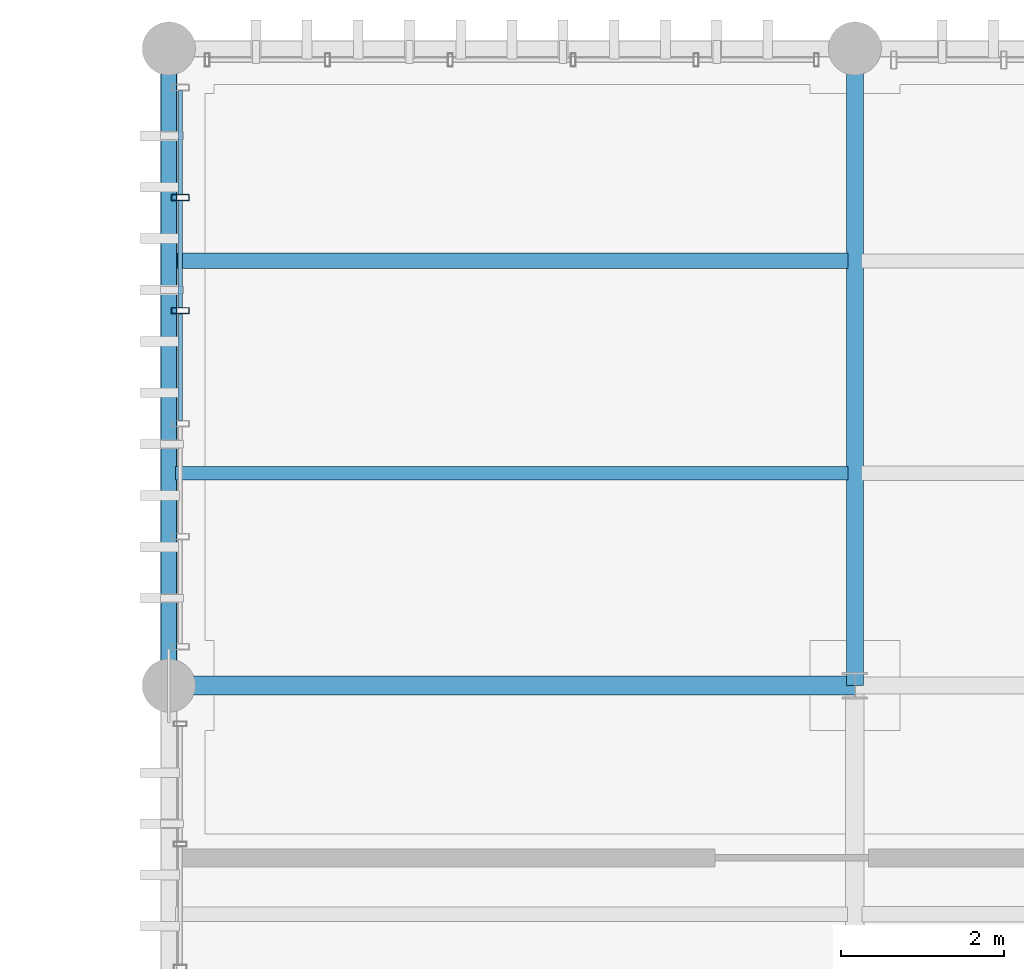
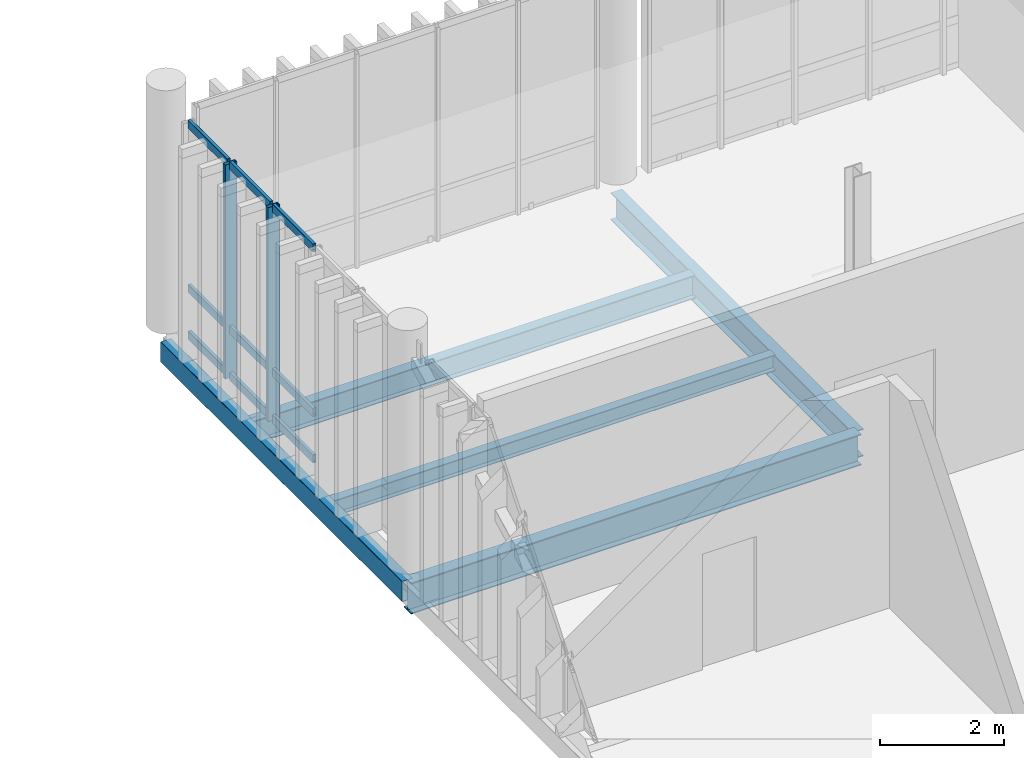
# One storey, part 53 of 86: 11 members, 5 beams, 1 element without a shape of its own.
"""IFC4 building model written with IfcOpenShell, lengths in metres."""

from ifc_helpers import new_model, si_unit, direction, frame, origin_with_axes, origin_2d_with_axis, place, context, subcontext, project, spatial, hollow_rectangle, i_section, extrude, material, material_profile, profile_set, type_object, element, aggregate, save


model = new_model("IFC4")

# Units and contexts
model_context = context("Model", 3, precision=1e-05, world=origin_with_axes(), true_north=direction((0.0, 1.0)))
body_context = subcontext(model_context, "Body", "Model", "MODEL_VIEW")
ifc_project = project(units=[si_unit("LENGTHUNIT", "METRE"), si_unit("AREAUNIT", "SQUARE_METRE"), si_unit("VOLUMEUNIT", "CUBIC_METRE"), si_unit("PLANEANGLEUNIT", "RADIAN"), si_unit("MASSUNIT", "GRAM", prefix="KILO"), si_unit("THERMODYNAMICTEMPERATUREUNIT", "KELVIN")], contexts=[model_context])

# Site, building, storey
site_placement = place(None, origin_with_axes())
site = spatial("IfcSite", under=ifc_project, at=site_placement, CompositionType="ELEMENT")
building_placement = place(site_placement, origin_with_axes())
building = spatial("IfcBuilding", under=site, at=building_placement, Name="Montbau Bow Law Courts", CompositionType="ELEMENT")
storey_placement = place(building_placement, frame((0.0, 0.0, 29.7), z_axis=(0.0, 0.0, 1.0), x_axis=(1.0, 0.0, 0.0)))
storey = spatial("IfcBuildingStorey", under=building, at=storey_placement, Name="L06", CompositionType="ELEMENT", Elevation=29.7)

# Beams
ifc_material_1 = material(Name="Steel CSA G40.21 Grade 350W (350 MPa)", Category="steel")
ifc_material_profile_1 = material_profile(ifc_material_1, i_section(OverallWidth=0.229, OverallDepth=0.612, WebThickness=0.0119, FlangeThickness=0.0196, at=origin_2d_with_axis()), Name="W610X125", Category="Main", Priority=0)
ifc_profile_set_1 = profile_set([ifc_material_profile_1], Name="Steel CSA G40.21 Grade 350W (350 MPa)")
beam_type_1 = type_object("IfcBeamType", Name="B-FLR-05", PredefinedType="BEAM", material=ifc_profile_set_1)
beam_1_placement = place(None, frame((138.6, 103.2, 29.054), z_axis=(1.0, 0.0, 0.0), x_axis=(0.0, 1.0, 0.0)))
element("IfcBeam", 1, at=beam_1_placement, inside=storey, type_object=beam_type_1, Name="BM-L06-S1310:bm2_1313", PredefinedType="BEAM", context=body_context, shape_type="SweptSolid", body=[
    extrude(i_section(OverallWidth=0.229, OverallDepth=0.612, WebThickness=0.0119, FlangeThickness=0.0196, at=origin_2d_with_axis()), origin_with_axes(), (0.0, 0.0, 1.0), 8.4),
])
ifc_material_profile_2 = material_profile(ifc_material_1, i_section(OverallWidth=0.21, OverallDepth=0.537, WebThickness=0.0109, FlangeThickness=0.0174, at=origin_2d_with_axis()), Name="W530X101", Category="Main", Priority=0)
ifc_profile_set_2 = profile_set([ifc_material_profile_2], Name="Steel CSA G40.21 Grade 350W (350 MPa)")
beam_type_2 = type_object("IfcBeamType", Name="B-FLR-06", PredefinedType="BEAM", material=ifc_profile_set_2)
beam_2_placement = place(None, frame((147.0, 103.2, 29.091), z_axis=(0.0, 1.0, 0.0), x_axis=(-1.0, 0.0, 0.0)))
element("IfcBeam", 2, at=beam_2_placement, inside=storey, type_object=beam_type_2, Name="BM-L06-S1325:bm2_1328", PredefinedType="BEAM", context=body_context, shape_type="SweptSolid", body=[
    extrude(i_section(OverallWidth=0.21, OverallDepth=0.537, WebThickness=0.0109, FlangeThickness=0.0174, at=origin_2d_with_axis()), origin_with_axes(), (0.0, 0.0, 1.0), 7.8),
])
ifc_material_profile_3 = material_profile(ifc_material_1, i_section(OverallWidth=0.191, OverallDepth=0.46, WebThickness=0.0099, FlangeThickness=0.016, at=origin_2d_with_axis()), Name="W460X82", Category="Main", Priority=0)
ifc_profile_set_3 = profile_set([ifc_material_profile_3], Name="Steel CSA G40.21 Grade 350W (350 MPa)")
beam_type_3 = type_object("IfcBeamType", Name="B-JST-01", PredefinedType="JOIST", material=ifc_profile_set_3)
beam_3_placement = place(None, frame((138.68, 108.4, 29.13), z_axis=(1.0, 0.0, 0.0), x_axis=(0.0, 1.0, 0.0)))
element("IfcBeam", 3, at=beam_3_placement, inside=storey, type_object=beam_type_3, Name="JST-L06-S0716:jst2_0716", PredefinedType="JOIST", context=body_context, shape_type="SweptSolid", body=[
    extrude(i_section(OverallWidth=0.191, OverallDepth=0.46, WebThickness=0.0099, FlangeThickness=0.016, at=origin_2d_with_axis()), origin_with_axes(), (0.0, 0.0, 1.0), 8.239),
])
ifc_material_profile_4 = material_profile(ifc_material_1, i_section(OverallWidth=0.166, OverallDepth=0.313, WebThickness=0.0066, FlangeThickness=0.0112, at=origin_2d_with_axis()), Name="W310X45", Category="Main", Priority=0)
ifc_profile_set_4 = profile_set([ifc_material_profile_4], Name="Steel CSA G40.21 Grade 350W (350 MPa)")
beam_type_4 = type_object("IfcBeamType", Name="B-JST-04", PredefinedType="JOIST", material=ifc_profile_set_4)
beam_4_placement = place(None, frame((138.68, 105.8, 29.203), z_axis=(1.0, 0.0, 0.0), x_axis=(0.0, 1.0, 0.0)))
element("IfcBeam", 4, at=beam_4_placement, inside=storey, type_object=beam_type_4, Name="JST-L06-S0715:jst2_0715", PredefinedType="JOIST", context=body_context, shape_type="SweptSolid", body=[
    extrude(i_section(OverallWidth=0.166, OverallDepth=0.313, WebThickness=0.0066, FlangeThickness=0.0112, at=origin_2d_with_axis()), origin_with_axes(), (0.0, 0.0, 1.0), 8.239),
])
ifc_material_2 = material(Name="Steel CSA G40.21 Grade 350WT (350 MPa)", Category="steel")
ifc_material_profile_5 = material_profile(ifc_material_2, hollow_rectangle(XDim=0.203, YDim=0.406, WallThickness=0.0127, InnerFilletRadius=0.0254, OuterFilletRadius=0.0127, at=origin_2d_with_axis()), Name="HSS406X203X13", Category="Main", Priority=0)
ifc_profile_set_5 = profile_set([ifc_material_profile_5], Name="Steel CSA G40.21 Grade 350WT (350 MPa)")
beam_type_5 = type_object("IfcBeamType", Name="B-SPN-01", PredefinedType="SPANDREL", material=ifc_profile_set_5)
beam_5_placement = place(None, frame((138.6, 103.2, 29.157), z_axis=(0.0, 1.0, 0.0), x_axis=(-1.0, 0.0, 0.0)))
element("IfcBeam", 5, at=beam_5_placement, inside=storey, type_object=beam_type_5, Name="SPN-L06-S1321:bm2_1324", PredefinedType="SPANDREL", context=body_context, shape_type="SweptSolid", body=[
    extrude(hollow_rectangle(XDim=0.203, YDim=0.406, WallThickness=0.0127, InnerFilletRadius=0.0254, OuterFilletRadius=0.0127, at=origin_2d_with_axis()), origin_with_axes(), (0.0, 0.0, 1.0), 7.8),
])

# Curtain wall, members
ifc_material_3 = material(Name="Thermally Broken Extruded Aluminium AA 6063-T6", Category="aluminium")
curtain_wall_type = type_object("IfcCurtainWallType", Name="CW-SLT-02", PredefinedType="NOTDEFINED", material=ifc_material_3)
curtain_wall_placement = place(None, frame((138.74, 103.64, 29.7), z_axis=(0.0, 0.0, 1.0), x_axis=(1.0, 0.0, 0.0)))
curtain_wall = element("IfcCurtainWall", 6, at=curtain_wall_placement, inside=storey, type_object=curtain_wall_type, Name="CW-L06-360:cw_0360", PredefinedType="NOTDEFINED")
ifc_material_profile_6 = material_profile(ifc_material_3, hollow_rectangle(XDim=0.075, YDim=0.22, WallThickness=0.005, InnerFilletRadius=0.01, OuterFilletRadius=0.005, at=origin_2d_with_axis()), Name="CWM-220X75", Category="Main", Priority=0)
ifc_profile_set_6 = profile_set([ifc_material_profile_6], Name="Thermally Broken Extruded Aluminium AA 6063-T6")
member_type_1 = type_object("IfcMemberType", Name="M-MUL-01", PredefinedType="MULLION", material=ifc_profile_set_6)
member_1_placement = place(None, frame((138.74, 107.792, 29.7), z_axis=(0.0, 0.0, 1.0), x_axis=(0.0, 1.0, 0.0)))
member_1 = element("IfcMember", 7, at=member_1_placement, type_object=member_type_1, Name="CW-L06-360-M04:cw_0360_M04", PredefinedType="MULLION", context=body_context, shape_type="SweptSolid", body=[
    extrude(hollow_rectangle(XDim=0.075, YDim=0.22, WallThickness=0.005, InnerFilletRadius=0.01, OuterFilletRadius=0.005, at=origin_2d_with_axis()), origin_with_axes(), (0.0, 0.0, 1.0), 4.22),
])
member_2_placement = place(None, frame((138.74, 109.176, 29.7), z_axis=(0.0, 0.0, 1.0), x_axis=(0.0, 1.0, 0.0)))
member_2 = element("IfcMember", 8, at=member_2_placement, type_object=member_type_1, Name="CW-L06-360-M05:cw_0360_M05", PredefinedType="MULLION", context=body_context, shape_type="SweptSolid", body=[
    extrude(hollow_rectangle(XDim=0.075, YDim=0.22, WallThickness=0.005, InnerFilletRadius=0.01, OuterFilletRadius=0.005, at=origin_2d_with_axis()), origin_with_axes(), (0.0, 0.0, 1.0), 4.22),
])
ifc_material_profile_7 = material_profile(ifc_material_3, hollow_rectangle(XDim=0.06, YDim=0.16, WallThickness=0.004, InnerFilletRadius=0.008, OuterFilletRadius=0.004, at=origin_2d_with_axis()), Name="CWT-160X60", Category="Main", Priority=0)
ifc_profile_set_7 = profile_set([ifc_material_profile_7], Name="Thermally Broken Extruded Aluminium AA 6063-T6")
member_type_2 = type_object("IfcMemberType", Name="M-TRN-01", PredefinedType="USERDEFINED", material=ifc_profile_set_7)
member_3_placement = place(None, frame((138.74, 106.447, 29.73), z_axis=(0.0, 1.0, 0.0), x_axis=(-1.0, 0.0, 0.0)))
member_3 = element("IfcMember", 9, at=member_3_placement, type_object=member_type_2, Name="CW-L06-360-T03-1:cw_0360_T03_1", ObjectType="TRANSOM", PredefinedType="USERDEFINED", context=body_context, shape_type="SweptSolid", body=[
    extrude(hollow_rectangle(XDim=0.06, YDim=0.16, WallThickness=0.004, InnerFilletRadius=0.008, OuterFilletRadius=0.004, at=origin_2d_with_axis()), origin_with_axes(), (0.0, 0.0, 1.0), 1.306),
])
member_4_placement = place(None, frame((138.74, 106.447, 30.65), z_axis=(0.0, 1.0, 0.0), x_axis=(-1.0, 0.0, 0.0)))
member_4 = element("IfcMember", 10, at=member_4_placement, type_object=member_type_2, Name="CW-L06-360-T03-2:cw_0360_T03_2", ObjectType="TRANSOM", PredefinedType="USERDEFINED", context=body_context, shape_type="SweptSolid", body=[
    extrude(hollow_rectangle(XDim=0.06, YDim=0.16, WallThickness=0.004, InnerFilletRadius=0.008, OuterFilletRadius=0.004, at=origin_2d_with_axis()), origin_with_axes(), (0.0, 0.0, 1.0), 1.306),
])
member_5_placement = place(None, frame((138.74, 106.447, 33.89), z_axis=(0.0, 1.0, 0.0), x_axis=(-1.0, 0.0, 0.0)))
member_5 = element("IfcMember", 11, at=member_5_placement, type_object=member_type_2, Name="CW-L06-360-T03-3:cw_0360_T03_3", ObjectType="TRANSOM", PredefinedType="USERDEFINED", context=body_context, shape_type="SweptSolid", body=[
    extrude(hollow_rectangle(XDim=0.06, YDim=0.16, WallThickness=0.004, InnerFilletRadius=0.008, OuterFilletRadius=0.004, at=origin_2d_with_axis()), origin_with_axes(), (0.0, 0.0, 1.0), 1.306),
])
member_6_placement = place(None, frame((138.74, 107.831, 29.73), z_axis=(0.0, 1.0, 0.0), x_axis=(-1.0, 0.0, 0.0)))
member_6 = element("IfcMember", 12, at=member_6_placement, type_object=member_type_2, Name="CW-L06-360-T04-1:cw_0360_T04_1", ObjectType="TRANSOM", PredefinedType="USERDEFINED", context=body_context, shape_type="SweptSolid", body=[
    extrude(hollow_rectangle(XDim=0.06, YDim=0.16, WallThickness=0.004, InnerFilletRadius=0.008, OuterFilletRadius=0.004, at=origin_2d_with_axis()), origin_with_axes(), (0.0, 0.0, 1.0), 1.306),
])
member_7_placement = place(None, frame((138.74, 107.831, 30.65), z_axis=(0.0, 1.0, 0.0), x_axis=(-1.0, 0.0, 0.0)))
member_7 = element("IfcMember", 13, at=member_7_placement, type_object=member_type_2, Name="CW-L06-360-T04-2:cw_0360_T04_2", ObjectType="TRANSOM", PredefinedType="USERDEFINED", context=body_context, shape_type="SweptSolid", body=[
    extrude(hollow_rectangle(XDim=0.06, YDim=0.16, WallThickness=0.004, InnerFilletRadius=0.008, OuterFilletRadius=0.004, at=origin_2d_with_axis()), origin_with_axes(), (0.0, 0.0, 1.0), 1.306),
])
member_8_placement = place(None, frame((138.74, 107.831, 33.89), z_axis=(0.0, 1.0, 0.0), x_axis=(-1.0, 0.0, 0.0)))
member_8 = element("IfcMember", 14, at=member_8_placement, type_object=member_type_2, Name="CW-L06-360-T04-3:cw_0360_T04_3", ObjectType="TRANSOM", PredefinedType="USERDEFINED", context=body_context, shape_type="SweptSolid", body=[
    extrude(hollow_rectangle(XDim=0.06, YDim=0.16, WallThickness=0.004, InnerFilletRadius=0.008, OuterFilletRadius=0.004, at=origin_2d_with_axis()), origin_with_axes(), (0.0, 0.0, 1.0), 1.306),
])
member_9_placement = place(None, frame((138.74, 109.215, 29.73), z_axis=(0.0, 1.0, 0.0), x_axis=(-1.0, 0.0, 0.0)))
member_9 = element("IfcMember", 15, at=member_9_placement, type_object=member_type_2, Name="CW-L06-360-T05-1:cw_0360_T05_1", ObjectType="TRANSOM", PredefinedType="USERDEFINED", context=body_context, shape_type="SweptSolid", body=[
    extrude(hollow_rectangle(XDim=0.06, YDim=0.16, WallThickness=0.004, InnerFilletRadius=0.008, OuterFilletRadius=0.004, at=origin_2d_with_axis()), origin_with_axes(), (0.0, 0.0, 1.0), 1.269),
])
member_10_placement = place(None, frame((138.74, 109.215, 30.65), z_axis=(0.0, 1.0, 0.0), x_axis=(-1.0, 0.0, 0.0)))
member_10 = element("IfcMember", 16, at=member_10_placement, type_object=member_type_2, Name="CW-L06-360-T05-2:cw_0360_T05_2", ObjectType="TRANSOM", PredefinedType="USERDEFINED", context=body_context, shape_type="SweptSolid", body=[
    extrude(hollow_rectangle(XDim=0.06, YDim=0.16, WallThickness=0.004, InnerFilletRadius=0.008, OuterFilletRadius=0.004, at=origin_2d_with_axis()), origin_with_axes(), (0.0, 0.0, 1.0), 1.269),
])
member_11_placement = place(None, frame((138.74, 109.215, 33.89), z_axis=(0.0, 1.0, 0.0), x_axis=(-1.0, 0.0, 0.0)))
member_11 = element("IfcMember", 17, at=member_11_placement, type_object=member_type_2, Name="CW-L06-360-T05-3:cw_0360_T05_3", ObjectType="TRANSOM", PredefinedType="USERDEFINED", context=body_context, shape_type="SweptSolid", body=[
    extrude(hollow_rectangle(XDim=0.06, YDim=0.16, WallThickness=0.004, InnerFilletRadius=0.008, OuterFilletRadius=0.004, at=origin_2d_with_axis()), origin_with_axes(), (0.0, 0.0, 1.0), 1.269),
])
aggregate(curtain_wall, [member_1, member_2, member_3, member_4, member_5, member_6, member_7, member_8, member_9, member_10, member_11])

save(model, "model.ifc")
